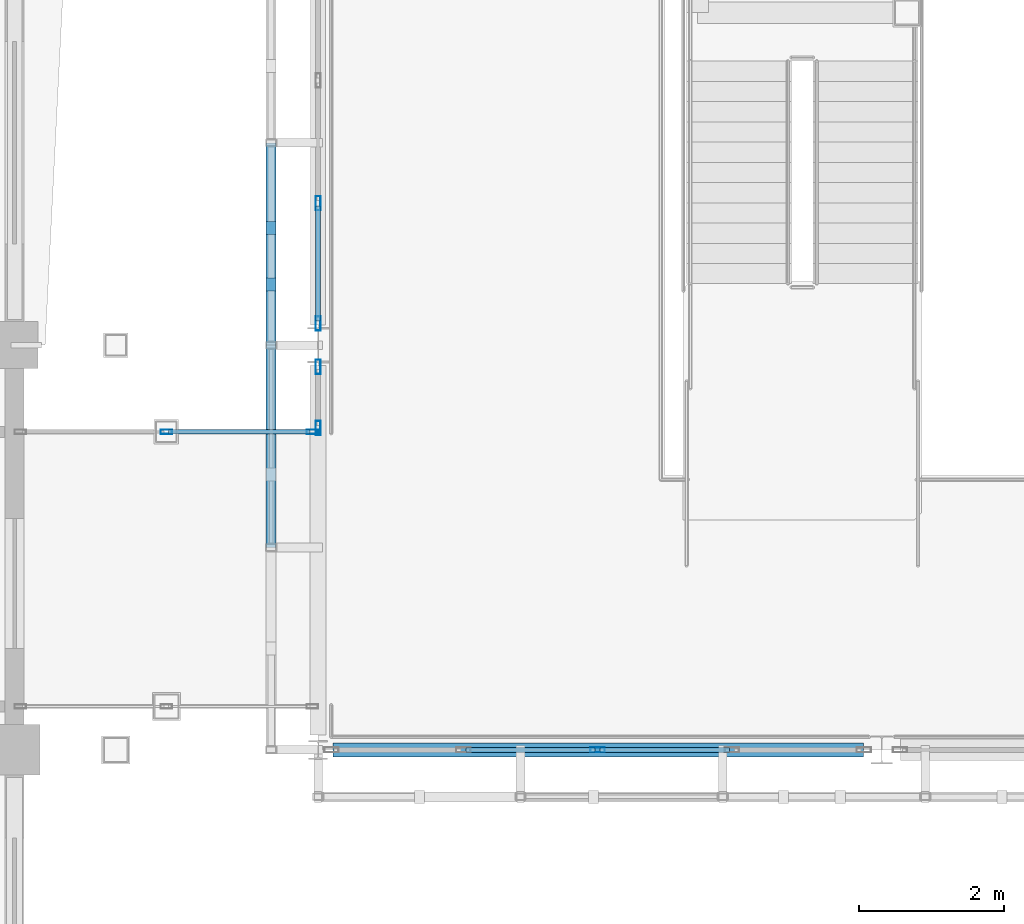
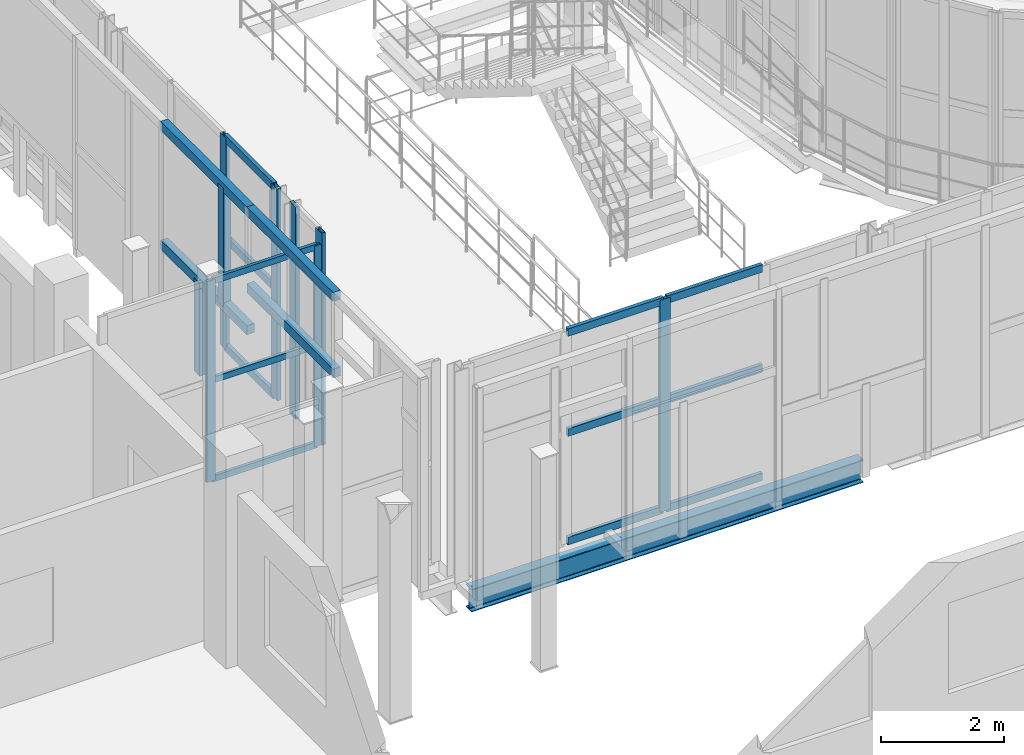
# One storey, part 30 of 121: 25 members, 1 beam, 4 elements without a shape of their own.
"""IFC4 building model written with IfcOpenShell, lengths in metres."""

from ifc_helpers import new_model, si_unit, direction, frame, origin, origin_2d, place, context, subcontext, project, spatial, rectangle, hollow_rectangle, i_section, extrude, material, layer, layer_set, material_profile, profile_set, type_object, element, aggregate, save


model = new_model("IFC4")

# Units and contexts
model_context = context("Model", 3, precision=1e-05, world=origin(), true_north=direction((0.0, 1.0)))
body_context = subcontext(model_context, "Body", "Model", "MODEL_VIEW")
ifc_project = project(units=[si_unit("LENGTHUNIT", "METRE"), si_unit("AREAUNIT", "SQUARE_METRE"), si_unit("VOLUMEUNIT", "CUBIC_METRE"), si_unit("PLANEANGLEUNIT", "RADIAN"), si_unit("MASSUNIT", "GRAM", prefix="KILO")], contexts=[model_context])

# Site, building, storey
site_placement = place(None, origin())
site = spatial("IfcSite", under=ifc_project, at=site_placement, CompositionType="ELEMENT")
building_placement = place(site_placement, origin())
building = spatial("IfcBuilding", under=site, at=building_placement, Name="Vinh Khe Railworks Police Headquarters", CompositionType="ELEMENT")
storey_placement = place(building_placement, frame((0.0, 0.0, 4.800048828125)))
storey = spatial("IfcBuildingStorey", under=building, at=storey_placement, Name="L01", CompositionType="ELEMENT", Elevation=4.800048828125)

# Members
ifc_material_1 = material(Name="Salvaged ironwood timber", Category="wood")
ifc_material_profile_1 = material_profile(ifc_material_1, rectangle(XDim=0.139892578125, YDim=0.179931640625, at=origin_2d()), Name="TIMBER 140x180")
ifc_profile_set_1 = profile_set([ifc_material_profile_1], Name="Salvaged ironwood timber")
member_type_1 = type_object("IfcMemberType", Name="MEM-QUILT-STILE", PredefinedType="CHORD", material=ifc_profile_set_1)
for number, where, z_axis, x_axis, name in (
    (1, (25.75, 28.0, 4.119873046875), (0.0, 1.0, 0.0), (-1.0, 0.0, 0.0), "Salvaged Timber Quilt Transom W-L01-01-TOP"),
    (2, (25.75, 28.0, 2.60400390625), (0.0, 1.0, 0.0), (-1.0, 0.0, 0.0), "Salvaged Timber Quilt Transom W-L01-01-M1"),
    (3, (25.75, 30.800048828125, 4.119873046875), (0.0, 1.0, 0.0), (-1.0, 0.0, 0.0), "Salvaged Timber Quilt Transom W-L01-02-TOP"),
    (4, (25.75, 30.800048828125, 1.763916015625), (0.0, 1.0, 0.0), (-1.0, 0.0, 0.0), "Salvaged Timber Quilt Transom W-L01-02-M1"),
):
    element("IfcMember", number, at=place(storey_placement, frame(where, z_axis=z_axis, x_axis=x_axis)), inside=storey, type_object=member_type_1, Name=name, PredefinedType="CHORD", context=body_context, shape_type="SweptSolid", body=[
        extrude(rectangle(XDim=0.139892578125, YDim=0.179931640625, at=origin_2d()), origin(), (0.0, 0.0, 1.0), 2.800048828125),
    ])
member_1_placement = place(storey_placement, frame((25.75, 32.424072265625, -0.080078125), z_axis=(0.0, 0.0, 1.0), x_axis=(1.0, 0.0, 0.0)))
element("IfcMember", 5, at=member_1_placement, inside=storey, type_object=member_type_1, Name="Salvaged Timber Quilt Stile W-L01-02-V1", PredefinedType="POST", context=body_context, shape_type="SweptSolid", body=[
    extrude(rectangle(XDim=0.139892578125, YDim=0.179931640625, at=origin_2d()), origin(), (0.0, 0.0, 1.0), 1.843994140625),
])
member_2_placement = place(storey_placement, frame((25.75, 31.639892578125, 1.763916015625), z_axis=(0.0, 0.0, 1.0), x_axis=(1.0, 0.0, 0.0)))
element("IfcMember", 6, at=member_2_placement, inside=storey, type_object=member_type_1, Name="Salvaged Timber Quilt Stile W-L01-02-V2", PredefinedType="POST", context=body_context, shape_type="SweptSolid", body=[
    extrude(rectangle(XDim=0.139892578125, YDim=0.179931640625, at=origin_2d()), origin(), (0.0, 0.0, 1.0), 2.35595703125),
])

# Curtain wall, members
ifc_material_2 = material(Name="Anodised aluminium and solar-control glass", Category="aluminium")
ifc_layer_1 = layer(ifc_material_2, 0.159912109375)
ifc_layer_set_1 = layer_set([ifc_layer_1], Name="Anodised aluminium and solar-control glass")
curtain_wall_type_1 = type_object("IfcCurtainWallType", Name="CW-SHOPFRONT", PredefinedType="USERDEFINED", material=ifc_layer_set_1)
curtain_wall_1_placement = place(storey_placement, origin())
curtain_wall_1 = element("IfcCurtainWall", 7, at=curtain_wall_1_placement, inside=storey, type_object=curtain_wall_type_1, Name="Atrium Stair Link Glazing L01-N", ObjectType="UNITISED GLAZING", PredefinedType="USERDEFINED")
ifc_material_3 = material(Name="Anodised aluminium 6063-T6", Category="aluminium")
ifc_material_profile_2 = material_profile(ifc_material_3, hollow_rectangle(XDim=0.06005859375, YDim=0.159912109375, WallThickness=0.00390625, at=origin_2d()), Name="CW-M 60x160x4")
ifc_profile_set_2 = profile_set([ifc_material_profile_2], Name="Anodised aluminium 6063-T6")
member_type_2 = type_object("IfcMemberType", Name="MULL-CWM-01", PredefinedType="MULLION", material=ifc_profile_set_2)
member_3_placement = place(storey_placement, frame((24.300048828125, 29.60009765625, 0.0), z_axis=(0.0, 0.0, 1.0), x_axis=(0.0, 1.0, 0.0)))
member_3 = element("IfcMember", 8, at=member_3_placement, type_object=member_type_2, Name="CW-03 mullion 2", PredefinedType="MULLION", context=body_context, shape_type="SweptSolid", body=[
    extrude(hollow_rectangle(XDim=0.06005859375, YDim=0.159912109375, WallThickness=0.00390625, at=origin_2d()), origin(), (0.0, 0.0, 1.0), 3.97998046875),
])
member_4_placement = place(storey_placement, frame((26.320068359375, 29.60009765625, 0.0), z_axis=(0.0, 0.0, 1.0), x_axis=(0.0, 1.0, 0.0)))
member_4 = element("IfcMember", 9, at=member_4_placement, type_object=member_type_2, Name="CW-03 mullion 3", PredefinedType="MULLION", context=body_context, shape_type="SweptSolid", body=[
    extrude(hollow_rectangle(XDim=0.06005859375, YDim=0.159912109375, WallThickness=0.00390625, at=origin_2d()), origin(), (0.0, 0.0, 1.0), 3.97998046875),
])

# Curtain wall, member
ifc_material_4 = material(Name="Anodised aluminium and low-iron glass", Category="aluminium")
ifc_layer_2 = layer(ifc_material_4, 0.179931640625)
ifc_layer_set_2 = layer_set([ifc_layer_2], Name="Anodised aluminium and low-iron glass")
curtain_wall_type_2 = type_object("IfcCurtainWallType", Name="CW-CUBE-UNIT", PredefinedType="USERDEFINED", material=ifc_layer_set_2)
curtain_wall_2_placement = place(storey_placement, origin())
curtain_wall_2 = element("IfcCurtainWall", 10, at=curtain_wall_2_placement, inside=storey, type_object=curtain_wall_type_2, Name="Entrance Hall Curtain Wall L01 S-1", ObjectType="UNITISED GLAZING", PredefinedType="USERDEFINED")
ifc_material_profile_3 = material_profile(ifc_material_3, hollow_rectangle(XDim=0.070068359375, YDim=0.199951171875, WallThickness=0.0048828125, at=origin_2d()), Name="CW-M 70x200x5")
ifc_profile_set_3 = profile_set([ifc_material_profile_3], Name="Anodised aluminium 6063-T6")
member_type_3 = type_object("IfcMemberType", Name="MULL-CWM-03", PredefinedType="MULLION", material=ifc_profile_set_3)
member_5_placement = place(storey_placement, frame((30.267578125, 25.199951171875, 0.0), z_axis=(0.0, 0.0, 1.0), x_axis=(0.0, 1.0, 0.0)))
member_5 = element("IfcMember", 11, at=member_5_placement, type_object=member_type_3, Name="CW-01 mullion 3", PredefinedType="MULLION", context=body_context, shape_type="SweptSolid", body=[
    extrude(hollow_rectangle(XDim=0.070068359375, YDim=0.199951171875, WallThickness=0.0048828125, at=origin_2d()), origin(), (0.0, 0.0, 1.0), 4.199951171875),
])

# Curtain wall, members
curtain_wall_3_placement = place(storey_placement, origin())
curtain_wall_3 = element("IfcCurtainWall", 12, at=curtain_wall_3_placement, inside=storey, type_object=curtain_wall_type_2, Name="Entrance Hall Curtain Wall L01 W-1N", ObjectType="UNITISED GLAZING", PredefinedType="USERDEFINED")
member_6_placement = place(storey_placement, frame((26.39990234375, 29.655029296875, 0.0), z_axis=(0.0, 0.0, 1.0), x_axis=(-1.0, 0.0, 0.0)))
member_6 = element("IfcMember", 13, at=member_6_placement, type_object=member_type_3, Name="CW-01 mullion 1", PredefinedType="MULLION", context=body_context, shape_type="SweptSolid", body=[
    extrude(hollow_rectangle(XDim=0.070068359375, YDim=0.199951171875, WallThickness=0.0048828125, at=origin_2d()), origin(), (0.0, 0.0, 1.0), 4.199951171875),
])
member_7_placement = place(storey_placement, frame((26.39990234375, 30.5, 0.0), z_axis=(0.0, 0.0, 1.0), x_axis=(-1.0, 0.0, 0.0)))
member_7 = element("IfcMember", 14, at=member_7_placement, type_object=member_type_3, Name="CW-01 mullion 2", PredefinedType="MULLION", context=body_context, shape_type="SweptSolid", body=[
    extrude(hollow_rectangle(XDim=0.070068359375, YDim=0.199951171875, WallThickness=0.0048828125, at=origin_2d()), origin(), (0.0, 0.0, 1.0), 4.199951171875),
])
aggregate(curtain_wall_3, [member_6, member_7])

curtain_wall_4_placement = place(storey_placement, origin())
curtain_wall_4 = element("IfcCurtainWall", 15, at=curtain_wall_4_placement, inside=storey, type_object=curtain_wall_type_2, Name="Entrance Hall Curtain Wall L01 W-2", ObjectType="UNITISED GLAZING", PredefinedType="USERDEFINED")
member_8_placement = place(storey_placement, frame((26.39990234375, 31.10009765625, 0.0), z_axis=(0.0, 0.0, 1.0), x_axis=(-1.0, 0.0, 0.0)))
member_8 = element("IfcMember", 16, at=member_8_placement, type_object=member_type_3, Name="CW-01 mullion 1", PredefinedType="MULLION", context=body_context, shape_type="SweptSolid", body=[
    extrude(hollow_rectangle(XDim=0.070068359375, YDim=0.199951171875, WallThickness=0.0048828125, at=origin_2d()), origin(), (0.0, 0.0, 1.0), 4.199951171875),
])
member_9_placement = place(storey_placement, frame((26.39990234375, 32.763427734375, 0.0), z_axis=(0.0, 0.0, 1.0), x_axis=(-1.0, 0.0, 0.0)))
member_9 = element("IfcMember", 17, at=member_9_placement, type_object=member_type_3, Name="CW-01 mullion 2", PredefinedType="MULLION", context=body_context, shape_type="SweptSolid", body=[
    extrude(hollow_rectangle(XDim=0.070068359375, YDim=0.199951171875, WallThickness=0.0048828125, at=origin_2d()), origin(), (0.0, 0.0, 1.0), 4.199951171875),
])

# Beam
ifc_material_5 = material(Name="Steel S355JR", Category="steel")
ifc_material_profile_4 = material_profile(ifc_material_5, i_section(OverallWidth=0.18994140625, OverallDepth=0.449951171875, WebThickness=0.009521484375, FlangeThickness=0.0146484375, FilletRadius=0.02099609375, at=origin_2d()), Name="IPE 450")
ifc_profile_set_4 = profile_set([ifc_material_profile_4], Name="Steel S355JR")
beam_type = type_object("IfcBeamType", Name="Steel Girder IPE 450", PredefinedType="BEAM", material=ifc_profile_set_4)
beam_placement = place(storey_placement, frame((26.60498046875, 25.199951171875, -0.465087890625), z_axis=(1.0, 0.0, 0.0), x_axis=(0.0, 1.0, 0.0)))
element("IfcBeam", 18, at=beam_placement, inside=storey, type_object=beam_type, Name="Girder BM-L01-EW-SB-20-0438", PredefinedType="BEAM", context=body_context, shape_type="SweptSolid", body=[
    extrude(i_section(OverallWidth=0.18994140625, OverallDepth=0.449951171875, WebThickness=0.009521484375, FlangeThickness=0.0146484375, FilletRadius=0.02099609375, at=origin_2d()), origin(), (0.0, 0.0, 1.0), 7.340087890625),
])

# Member
ifc_material_profile_5 = material_profile(ifc_material_3, hollow_rectangle(XDim=0.06005859375, YDim=0.1201171875, WallThickness=0.00390625, at=origin_2d()), Name="CW-T 60x120x4")
ifc_profile_set_5 = profile_set([ifc_material_profile_5], Name="Anodised aluminium 6063-T6")
member_type_4 = type_object("IfcMemberType", Name="TRAN-CWT-01", PredefinedType="USERDEFINED", material=ifc_profile_set_5)
member_10_placement = place(storey_placement, frame((24.330078125, 29.60009765625, 0.030029296875), z_axis=(1.0, 0.0, 0.0), x_axis=(0.0, 1.0, 0.0)))
member_10 = element("IfcMember", 19, at=member_10_placement, type_object=member_type_4, Name="CW-03 transom 2.1", ObjectType="TRANSOM", PredefinedType="USERDEFINED", context=body_context, shape_type="SweptSolid", body=[
    extrude(hollow_rectangle(XDim=0.06005859375, YDim=0.1201171875, WallThickness=0.00390625, at=origin_2d()), origin(), (0.0, 0.0, 1.0), 1.9599609375),
])

member_11_placement = place(storey_placement, frame((24.330078125, 29.60009765625, 1.989990234375), z_axis=(1.0, 0.0, 0.0), x_axis=(0.0, 1.0, 0.0)))
member_11 = element("IfcMember", 20, at=member_11_placement, type_object=member_type_4, Name="CW-03 transom 2.2", ObjectType="TRANSOM", PredefinedType="USERDEFINED", context=body_context, shape_type="SweptSolid", body=[
    extrude(hollow_rectangle(XDim=0.06005859375, YDim=0.1201171875, WallThickness=0.00390625, at=origin_2d()), origin(), (0.0, 0.0, 1.0), 1.9599609375),
])

member_12_placement = place(storey_placement, frame((24.330078125, 29.60009765625, 3.949951171875), z_axis=(1.0, 0.0, 0.0), x_axis=(0.0, 1.0, 0.0)))
member_12 = element("IfcMember", 21, at=member_12_placement, type_object=member_type_4, Name="CW-03 transom 2.3", ObjectType="TRANSOM", PredefinedType="USERDEFINED", context=body_context, shape_type="SweptSolid", body=[
    extrude(hollow_rectangle(XDim=0.06005859375, YDim=0.1201171875, WallThickness=0.00390625, at=origin_2d()), origin(), (0.0, 0.0, 1.0), 1.9599609375),
])

aggregate(curtain_wall_1, [member_3, member_4, member_10, member_11, member_12])

ifc_material_profile_6 = material_profile(ifc_material_3, hollow_rectangle(XDim=0.070068359375, YDim=0.14990234375, WallThickness=0.0048828125, at=origin_2d()), Name="CW-T 70x150x5")
ifc_profile_set_6 = profile_set([ifc_material_profile_6], Name="Anodised aluminium 6063-T6")
member_type_5 = type_object("IfcMemberType", Name="TRAN-CWT-03", PredefinedType="USERDEFINED", material=ifc_profile_set_6)
member_13_placement = place(storey_placement, frame((28.44384765625, 25.199951171875, 0.034912109375), z_axis=(1.0, 0.0, 0.0), x_axis=(0.0, 1.0, 0.0)))
member_13 = element("IfcMember", 22, at=member_13_placement, type_object=member_type_5, Name="CW-01 transom 2.1", ObjectType="TRANSOM", PredefinedType="USERDEFINED", context=body_context, shape_type="SweptSolid", body=[
    extrude(hollow_rectangle(XDim=0.070068359375, YDim=0.14990234375, WallThickness=0.0048828125, at=origin_2d()), origin(), (0.0, 0.0, 1.0), 1.78857421875),
])

member_14_placement = place(storey_placement, frame((28.44384765625, 25.199951171875, 2.183837890625), z_axis=(1.0, 0.0, 0.0), x_axis=(0.0, 1.0, 0.0)))
member_14 = element("IfcMember", 23, at=member_14_placement, type_object=member_type_5, Name="CW-01 transom 2.2", ObjectType="TRANSOM", PredefinedType="USERDEFINED", context=body_context, shape_type="SweptSolid", body=[
    extrude(hollow_rectangle(XDim=0.070068359375, YDim=0.14990234375, WallThickness=0.0048828125, at=origin_2d()), origin(), (0.0, 0.0, 1.0), 1.78857421875),
])

member_15_placement = place(storey_placement, frame((28.44384765625, 25.199951171875, 4.1650390625), z_axis=(1.0, 0.0, 0.0), x_axis=(0.0, 1.0, 0.0)))
member_15 = element("IfcMember", 24, at=member_15_placement, type_object=member_type_5, Name="CW-01 transom 2.3", ObjectType="TRANSOM", PredefinedType="USERDEFINED", context=body_context, shape_type="SweptSolid", body=[
    extrude(hollow_rectangle(XDim=0.070068359375, YDim=0.14990234375, WallThickness=0.0048828125, at=origin_2d()), origin(), (0.0, 0.0, 1.0), 1.78857421875),
])

member_16_placement = place(storey_placement, frame((30.302490234375, 25.199951171875, 0.034912109375), z_axis=(1.0, 0.0, 0.0), x_axis=(0.0, 1.0, 0.0)))
member_16 = element("IfcMember", 25, at=member_16_placement, type_object=member_type_5, Name="CW-01 transom 3.1", ObjectType="TRANSOM", PredefinedType="USERDEFINED", context=body_context, shape_type="SweptSolid", body=[
    extrude(hollow_rectangle(XDim=0.070068359375, YDim=0.14990234375, WallThickness=0.0048828125, at=origin_2d()), origin(), (0.0, 0.0, 1.0), 1.788818359375),
])

member_17_placement = place(storey_placement, frame((30.302490234375, 25.199951171875, 2.183837890625), z_axis=(1.0, 0.0, 0.0), x_axis=(0.0, 1.0, 0.0)))
member_17 = element("IfcMember", 26, at=member_17_placement, type_object=member_type_5, Name="CW-01 transom 3.2", ObjectType="TRANSOM", PredefinedType="USERDEFINED", context=body_context, shape_type="SweptSolid", body=[
    extrude(hollow_rectangle(XDim=0.070068359375, YDim=0.14990234375, WallThickness=0.0048828125, at=origin_2d()), origin(), (0.0, 0.0, 1.0), 1.788818359375),
])

member_18_placement = place(storey_placement, frame((30.302490234375, 25.199951171875, 4.1650390625), z_axis=(1.0, 0.0, 0.0), x_axis=(0.0, 1.0, 0.0)))
member_18 = element("IfcMember", 27, at=member_18_placement, type_object=member_type_5, Name="CW-01 transom 3.3", ObjectType="TRANSOM", PredefinedType="USERDEFINED", context=body_context, shape_type="SweptSolid", body=[
    extrude(hollow_rectangle(XDim=0.070068359375, YDim=0.14990234375, WallThickness=0.0048828125, at=origin_2d()), origin(), (0.0, 0.0, 1.0), 1.788818359375),
])

aggregate(curtain_wall_2, [member_5, member_13, member_14, member_15, member_16, member_17, member_18])

member_19_placement = place(storey_placement, frame((26.39990234375, 31.135009765625, 0.034912109375), z_axis=(0.0, 1.0, 0.0), x_axis=(-1.0, 0.0, 0.0)))
member_19 = element("IfcMember", 28, at=member_19_placement, type_object=member_type_5, Name="CW-01 transom 1.1", ObjectType="TRANSOM", PredefinedType="USERDEFINED", context=body_context, shape_type="SweptSolid", body=[
    extrude(hollow_rectangle(XDim=0.070068359375, YDim=0.14990234375, WallThickness=0.0048828125, at=origin_2d()), origin(), (0.0, 0.0, 1.0), 1.59326171875),
])

member_20_placement = place(storey_placement, frame((26.39990234375, 31.135009765625, 2.183837890625), z_axis=(0.0, 1.0, 0.0), x_axis=(-1.0, 0.0, 0.0)))
member_20 = element("IfcMember", 29, at=member_20_placement, type_object=member_type_5, Name="CW-01 transom 1.2", ObjectType="TRANSOM", PredefinedType="USERDEFINED", context=body_context, shape_type="SweptSolid", body=[
    extrude(hollow_rectangle(XDim=0.070068359375, YDim=0.14990234375, WallThickness=0.0048828125, at=origin_2d()), origin(), (0.0, 0.0, 1.0), 1.59326171875),
])

member_21_placement = place(storey_placement, frame((26.39990234375, 31.135009765625, 4.1650390625), z_axis=(0.0, 1.0, 0.0), x_axis=(-1.0, 0.0, 0.0)))
member_21 = element("IfcMember", 30, at=member_21_placement, type_object=member_type_5, Name="CW-01 transom 1.3", ObjectType="TRANSOM", PredefinedType="USERDEFINED", context=body_context, shape_type="SweptSolid", body=[
    extrude(hollow_rectangle(XDim=0.070068359375, YDim=0.14990234375, WallThickness=0.0048828125, at=origin_2d()), origin(), (0.0, 0.0, 1.0), 1.59326171875),
])

aggregate(curtain_wall_4, [member_8, member_9, member_19, member_20, member_21])

save(model, "model.ifc")
